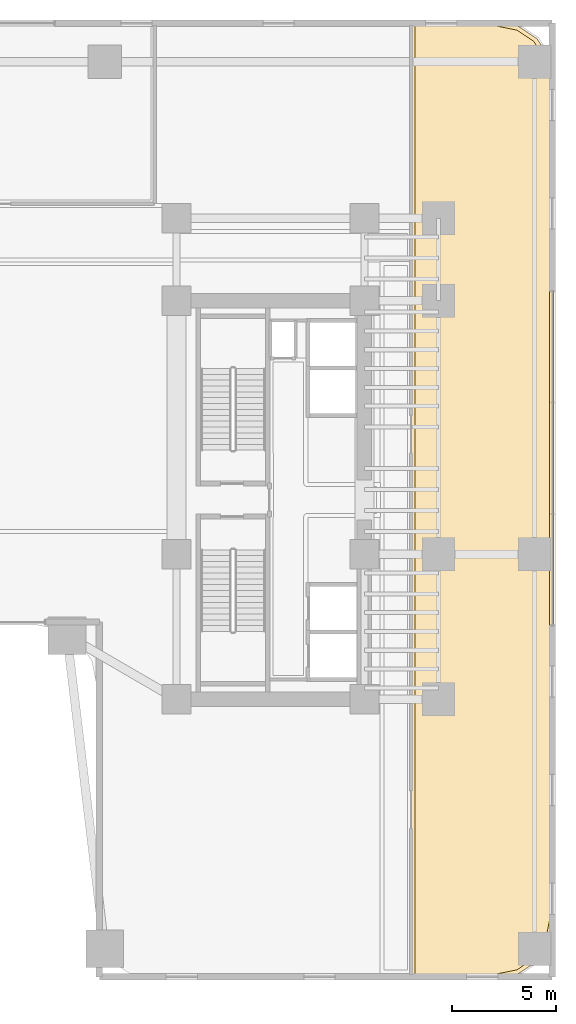
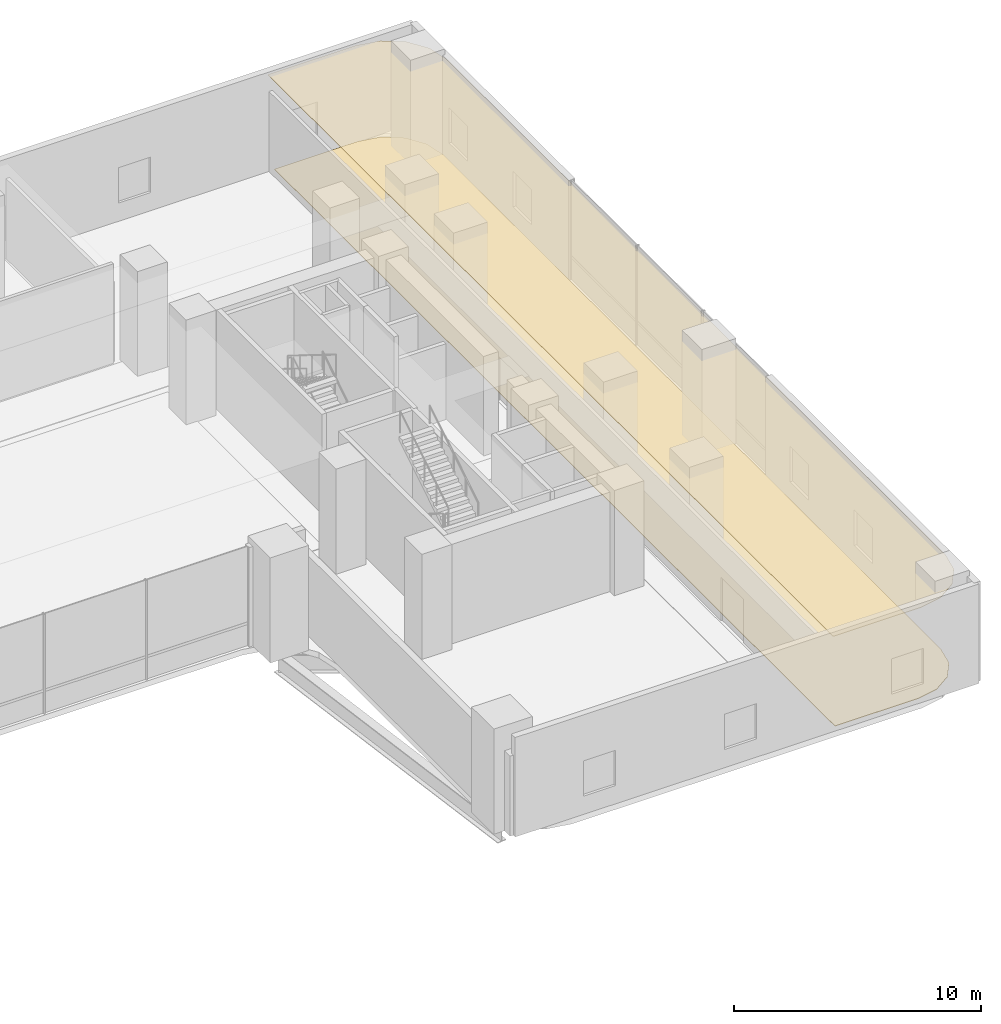
# One storey, part 39 of 39: 2 coverings.
"""IFC4 building model written with IfcOpenShell, lengths in metres."""

from ifc_helpers import new_model, si_unit, direction, frame, origin, place, context, subcontext, project, spatial, polyline, outline, extrude, material, layer, layer_set, type_object, element, save


model = new_model("IFC4")

# Units and contexts
model_context = context("Model", 3, precision=1e-05, world=origin(), true_north=direction((0.0, 1.0)))
body_context = subcontext(model_context, "Body", "Model", "MODEL_VIEW")
ifc_project = project(units=[si_unit("LENGTHUNIT", "METRE"), si_unit("AREAUNIT", "SQUARE_METRE"), si_unit("VOLUMEUNIT", "CUBIC_METRE"), si_unit("PLANEANGLEUNIT", "RADIAN"), si_unit("MASSUNIT", "GRAM", prefix="KILO")], contexts=[model_context])

# Site, building, storey
site_placement = place(None, origin())
site = spatial("IfcSite", under=ifc_project, at=site_placement, CompositionType="ELEMENT")
building_placement = place(site_placement, origin())
building = spatial("IfcBuilding", under=site, at=building_placement, Name="Valdorenza Pilgrim Sanctuary Tower", CompositionType="ELEMENT")
storey_placement = place(building_placement, frame((0.0, 0.0, 5.199951171875)))
storey = spatial("IfcBuildingStorey", under=building, at=storey_placement, Name="L01", CompositionType="ELEMENT", Elevation=5.199951171875)

# Coverings
ifc_material_1 = material(Name="Micro-perforated acoustic mineral ceiling tile", Category="gypsum")
ifc_layer_1 = layer(ifc_material_1, 0.02490234375, Name="Micro-perforated acoustic mineral ceiling tile")
ifc_layer_set_1 = layer_set([ifc_layer_1], Name="Micro-perforated acoustic mineral ceiling tile")
covering_type_1 = type_object("IfcCoveringType", Name="COV-CLG-ACU", PredefinedType="CEILING", material=ifc_layer_set_1)
covering_1_placement = place(storey_placement, frame((0.0, 0.0, 4.6201171875)))
element("IfcCovering", 1, at=covering_1_placement, inside=storey, type_object=covering_type_1, Name="L01 Sanctuary Administration Office Acoustic Ceiling", PredefinedType="CEILING", context=body_context, shape_type="SweptSolid", body=[
    extrude(outline(polyline([(31.189208984375, 22.905029296875), (31.190673828125, 22.90478515625), (31.192138671875, 22.90478515625), (32.2314453125, 22.697998046875), (32.23291015625, 22.697509765625), (32.234375, 22.697021484375), (32.235595703125, 22.696533203125), (32.23681640625, 22.69580078125), (33.10888671875, 22.113037109375), (33.110107421875, 22.1123046875), (33.111083984375, 22.111083984375), (33.1123046875, 22.110107421875), (33.113037109375, 22.10888671875), (33.69580078125, 21.23681640625), (33.696533203125, 21.235595703125), (33.697021484375, 21.234375), (33.697509765625, 21.23291015625), (33.697998046875, 21.2314453125), (33.90478515625, 20.192138671875), (33.90478515625, 20.190673828125), (33.905029296875, 20.189208984375), (33.905029296875, -20.189208984375), (33.90478515625, -20.190673828125), (33.90478515625, -20.192138671875), (33.697998046875, -21.2314453125), (33.697509765625, -21.23291015625), (33.697021484375, -21.234375), (33.696533203125, -21.235595703125), (33.69580078125, -21.23681640625), (33.113037109375, -22.10888671875), (33.1123046875, -22.110107421875), (33.111083984375, -22.111083984375), (33.110107421875, -22.1123046875), (33.10888671875, -22.113037109375), (32.23681640625, -22.69580078125), (32.235595703125, -22.696533203125), (32.234375, -22.697021484375), (32.23291015625, -22.697509765625), (32.2314453125, -22.697998046875), (31.192138671875, -22.90478515625), (31.190673828125, -22.90478515625), (31.189208984375, -22.905029296875), (27.10009765625, -22.905029296875), (27.098388671875, -22.90478515625), (27.09716796875, -22.90478515625), (27.095703125, -22.904296875), (27.09423828125, -22.90380859375), (27.093017578125, -22.9033203125), (27.091796875, -22.902587890625), (27.090576171875, -22.901611328125), (27.08935546875, -22.900634765625), (27.08837890625, -22.8994140625), (27.08740234375, -22.898193359375), (27.0869140625, -22.897216796875), (27.086181640625, -22.895751953125), (27.085693359375, -22.894287109375), (27.085205078125, -22.892822265625), (27.085205078125, -22.8916015625), (27.0849609375, -22.889892578125), (27.0849609375, 22.889892578125), (27.085205078125, 22.8916015625), (27.085205078125, 22.892822265625), (27.085693359375, 22.894287109375), (27.086181640625, 22.895751953125), (27.0869140625, 22.897216796875), (27.08740234375, 22.898193359375), (27.08837890625, 22.8994140625), (27.08935546875, 22.900634765625), (27.090576171875, 22.901611328125), (27.091796875, 22.902587890625), (27.093017578125, 22.9033203125), (27.09423828125, 22.90380859375), (27.095703125, 22.904296875), (27.09716796875, 22.90478515625), (27.098388671875, 22.90478515625), (27.10009765625, 22.905029296875), (31.189208984375, 22.905029296875)])), origin(), (0.0, 0.0, 1.0), 0.02490234375),
])
ifc_material_2 = material(Name="Honed travertine stone flooring", Category="masonry")
ifc_layer_2 = layer(ifc_material_2, 0.030029296875, Name="Honed travertine stone flooring")
ifc_layer_set_2 = layer_set([ifc_layer_2], Name="Honed travertine stone flooring")
covering_type_2 = type_object("IfcCoveringType", Name="COV-FLR-TRV", PredefinedType="FLOORING", material=ifc_layer_set_2)
covering_2_placement = place(storey_placement, origin())
element("IfcCovering", 2, at=covering_2_placement, inside=storey, type_object=covering_type_2, Name="L01 Sanctuary Administration Office Flooring", PredefinedType="FLOORING", context=body_context, shape_type="SweptSolid", body=[
    extrude(outline(polyline([(31.17138671875, 22.7099609375), (32.158203125, 22.513671875), (32.970703125, 21.970703125), (33.513671875, 21.158203125), (33.7099609375, 20.17138671875), (33.7099609375, -20.17138671875), (33.513671875, -21.158203125), (32.970703125, -21.970703125), (32.158203125, -22.513671875), (31.17138671875, -22.7099609375), (27.280029296875, -22.7099609375), (27.280029296875, 22.7099609375), (31.17138671875, 22.7099609375)])), origin(), (0.0, 0.0, 1.0), 0.025146484375),
])

save(model, "model.ifc")
